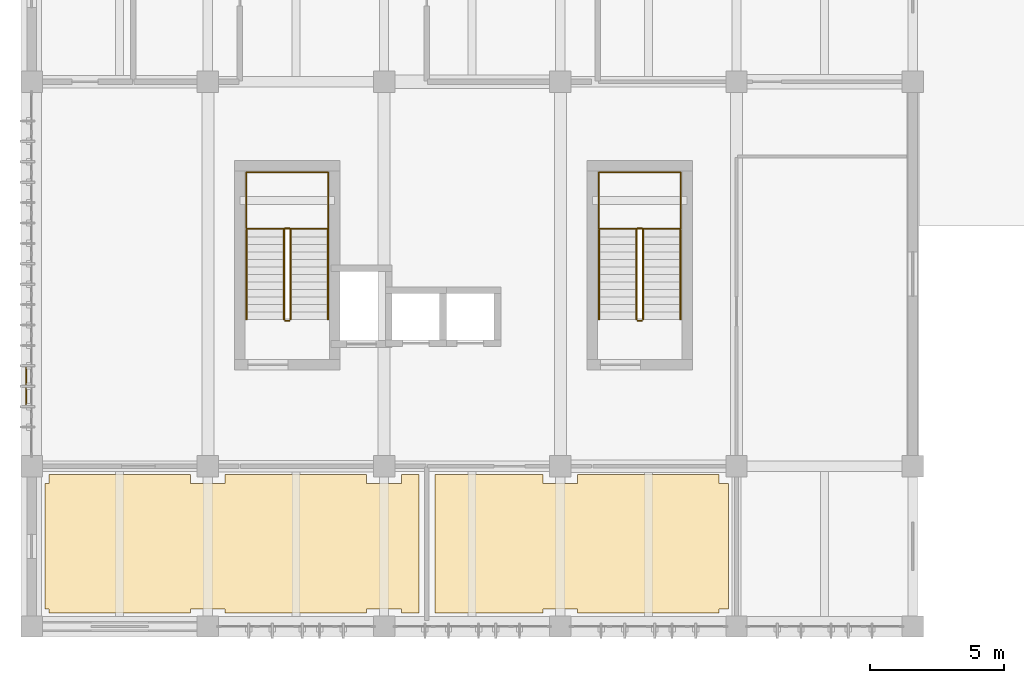
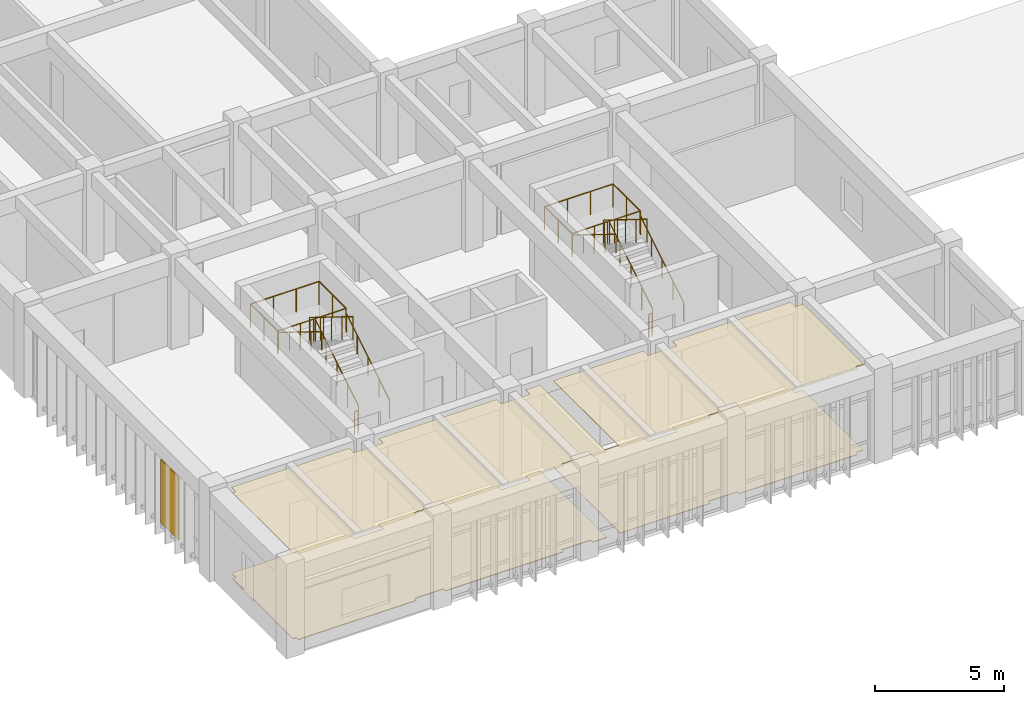
# One storey, part 33 of 34: 16 railings, 5 coverings.
"""IFC4 building model written with IfcOpenShell, lengths in metres."""

from ifc_helpers import new_model, si_unit, direction, frame, origin, origin_2d, place, context, subcontext, project, spatial, polyline, rectangle, circle, outline, extrude, material, layer, layer_set, type_object, element, save


model = new_model("IFC4")

# Units and contexts
model_context = context("Model", 3, precision=1e-05, world=origin(), true_north=direction((0.0, 1.0)))
body_context = subcontext(model_context, "Body", "Model", "MODEL_VIEW")
ifc_project = project(units=[si_unit("LENGTHUNIT", "METRE"), si_unit("AREAUNIT", "SQUARE_METRE"), si_unit("VOLUMEUNIT", "CUBIC_METRE"), si_unit("PLANEANGLEUNIT", "RADIAN"), si_unit("MASSUNIT", "GRAM", prefix="KILO")], contexts=[model_context])

# Site, building, storey
site_placement = place(None, origin())
site = spatial("IfcSite", under=ifc_project, at=site_placement, CompositionType="ELEMENT")
building_placement = place(site_placement, origin())
building = spatial("IfcBuilding", under=site, at=building_placement, Name="Miralva Faculty of Natural Sciences", CompositionType="ELEMENT")
storey_placement = place(building_placement, frame((0.0, 0.0, 24.0)))
storey = spatial("IfcBuildingStorey", under=building, at=storey_placement, Name="L05", CompositionType="ELEMENT", Elevation=24.0)

# Coverings
ifc_material_1 = material(Name="Volcanic tuff architectural stone", Category="masonry")
ifc_layer_1 = layer(ifc_material_1, 0.044921875, Name="COV-CD01")
ifc_layer_set_1 = layer_set([ifc_layer_1], Name="Volcanic tuff architectural stone")
covering_type_1 = type_object("IfcCoveringType", Name="COV-CD01", PredefinedType="CLADDING", material=ifc_layer_set_1)
covering_1_placement = place(storey_placement, frame((2.800048828125, 12.0, 0.300048828125), z_axis=(0.0, 0.0, 1.0), x_axis=(1.0, 0.0, 0.0)))
element("IfcCovering", 1, at=covering_1_placement, inside=storey, type_object=covering_type_1, Name="Volcanic tuff stone corner fascia cladding L05", PredefinedType="CLADDING", context=body_context, shape_type="SweptSolid", body=[
    extrude(rectangle(XDim=0.044921875, YDim=1.39990234375, at=origin_2d()), origin(), (0.0, 0.0, 1.0), 3.0),
])
ifc_material_2 = material(Name="Acoustic mineral-fibre board")
ifc_layer_2 = layer(ifc_material_2, 0.02197265625, Name="COV-CL01")
ifc_layer_set_2 = layer_set([ifc_layer_2], Name="Acoustic mineral-fibre board")
covering_type_2 = type_object("IfcCoveringType", Name="COV-CL01", PredefinedType="CEILING", material=ifc_layer_set_2)
covering_2_placement = place(storey_placement, frame((0.0, 0.0, 4.077880859375)))
element("IfcCovering", 2, at=covering_2_placement, inside=storey, type_object=covering_type_2, Name="Suspended acoustic ceiling L05-01", PredefinedType="CEILING", context=body_context, shape_type="SweptSolid", body=[
    extrude(outline(polyline([(15.550048828125, 8.35009765625), (16.85009765625, 8.35009765625), (16.85009765625, 8.699951171875), (17.5, 8.699951171875), (17.5, 3.5), (16.85009765625, 3.5), (16.85009765625, 3.64990234375), (15.550048828125, 3.64990234375), (15.550048828125, 3.5), (10.25, 3.5), (10.25, 3.64990234375), (8.949951171875, 3.64990234375), (8.949951171875, 3.5), (3.64990234375, 3.5), (3.64990234375, 3.64990234375), (3.5, 3.64990234375), (3.5, 8.35009765625), (3.64990234375, 8.35009765625), (3.64990234375, 8.699951171875), (8.949951171875, 8.699951171875), (8.949951171875, 8.35009765625), (10.25, 8.35009765625), (10.25, 8.699951171875), (15.550048828125, 8.699951171875), (15.550048828125, 8.35009765625)])), origin(), (0.0, 0.0, 1.0), 0.022216796875),
])
ifc_material_3 = material(Name="Gypsum plasterboard")
ifc_layer_3 = layer(ifc_material_3, 0.028076171875, Name="COV-CL02")
ifc_layer_set_3 = layer_set([ifc_layer_3], Name="Gypsum plasterboard")
covering_type_3 = type_object("IfcCoveringType", Name="COV-CL02", PredefinedType="CEILING", material=ifc_layer_set_3)
covering_3_placement = place(storey_placement, frame((0.0, 0.0, 4.072021484375)))
element("IfcCovering", 3, at=covering_3_placement, inside=storey, type_object=covering_type_3, Name="Suspended acoustic ceiling L05-02", PredefinedType="CEILING", context=body_context, shape_type="SweptSolid", body=[
    extrude(outline(polyline([(28.75, 3.5), (23.449951171875, 3.5), (23.449951171875, 3.64990234375), (22.14990234375, 3.64990234375), (22.14990234375, 3.5), (18.10009765625, 3.5), (18.10009765625, 8.699951171875), (22.14990234375, 8.699951171875), (22.14990234375, 8.35009765625), (23.449951171875, 8.35009765625), (23.449951171875, 8.699951171875), (28.75, 8.699951171875), (28.75, 8.35009765625), (29.10009765625, 8.35009765625), (29.10009765625, 3.64990234375), (28.75, 3.64990234375), (28.75, 3.5)])), origin(), (0.0, 0.0, 1.0), 0.028076171875),
])
ifc_material_4 = material(Name="Polished terrazzo flooring")
ifc_layer_4 = layer(ifc_material_4, 0.030029296875, Name="COV-FL01")
ifc_layer_set_4 = layer_set([ifc_layer_4], Name="Polished terrazzo flooring")
covering_type_4 = type_object("IfcCoveringType", Name="COV-FL01", PredefinedType="FLOORING", material=ifc_layer_set_4)
covering_4_placement = place(storey_placement, origin())
element("IfcCovering", 4, at=covering_4_placement, inside=storey, type_object=covering_type_4, Name="Finished flooring L05-01", PredefinedType="FLOORING", context=body_context, shape_type="SweptSolid", body=[
    extrude(outline(polyline([(15.550048828125, 8.35009765625), (16.85009765625, 8.35009765625), (16.85009765625, 8.699951171875), (17.5, 8.699951171875), (17.5, 3.5), (16.85009765625, 3.5), (16.85009765625, 3.64990234375), (15.550048828125, 3.64990234375), (15.550048828125, 3.5), (10.25, 3.5), (10.25, 3.64990234375), (8.949951171875, 3.64990234375), (8.949951171875, 3.5), (3.64990234375, 3.5), (3.64990234375, 3.64990234375), (3.5, 3.64990234375), (3.5, 8.35009765625), (3.64990234375, 8.35009765625), (3.64990234375, 8.699951171875), (8.949951171875, 8.699951171875), (8.949951171875, 8.35009765625), (10.25, 8.35009765625), (10.25, 8.699951171875), (15.550048828125, 8.699951171875), (15.550048828125, 8.35009765625)])), origin(), (0.0, 0.0, 1.0), 0.030029296875),
])
ifc_layer_5 = layer(ifc_material_4, 0.01806640625, Name="COV-FL02")
ifc_layer_set_5 = layer_set([ifc_layer_5], Name="Polished terrazzo flooring")
covering_type_5 = type_object("IfcCoveringType", Name="COV-FL02", PredefinedType="FLOORING", material=ifc_layer_set_5)
covering_5_placement = place(storey_placement, origin())
element("IfcCovering", 5, at=covering_5_placement, inside=storey, type_object=covering_type_5, Name="Finished flooring L05-02", PredefinedType="FLOORING", context=body_context, shape_type="SweptSolid", body=[
    extrude(outline(polyline([(28.75, 3.5), (23.449951171875, 3.5), (23.449951171875, 3.64990234375), (22.14990234375, 3.64990234375), (22.14990234375, 3.5), (18.10009765625, 3.5), (18.10009765625, 8.699951171875), (22.14990234375, 8.699951171875), (22.14990234375, 8.35009765625), (23.449951171875, 8.35009765625), (23.449951171875, 8.699951171875), (28.75, 8.699951171875), (28.75, 8.35009765625), (29.10009765625, 8.35009765625), (29.10009765625, 3.64990234375), (28.75, 3.64990234375), (28.75, 3.5)])), origin(), (0.0, 0.0, 1.0), 0.01806640625),
])

# Railings
ifc_material_5 = material(Name="Steel S355", Category="steel")
railing_type_1 = type_object("IfcRailingType", Name="RL-GR01", PredefinedType="GUARDRAIL", material=ifc_material_5)
railing_1_placement = place(storey_placement, frame((12.699951171875, 14.5, 0.173095703125)))
element("IfcRailing", 6, at=railing_1_placement, inside=storey, type_object=railing_type_1, Name="Stair Core C1 safety guard L05-1", PredefinedType="GUARDRAIL", context=body_context, shape_type="SweptSolid", body=[
    extrude(circle(Radius=0.02392578125, at=origin_2d()), frame((0.0, 0.0, 1.09619140625), z_axis=(0.0, 0.850623216509, 0.525775754039), x_axis=(-1.0, 0.0, 0.0)), (0.0, 0.0, 1.0), 3.9501953125),
    extrude(circle(Radius=0.02099609375, at=origin_2d()), origin(), (0.0, 0.0, 1.0), 1.072021484375),
    extrude(circle(Radius=0.02099609375, at=origin_2d()), frame((0.0, 0.840087890625, 0.519287109375)), (0.0, 0.0, 1.0), 1.072021484375),
    extrude(circle(Radius=0.02099609375, at=origin_2d()), frame((0.0, 1.68017578125, 1.03857421875)), (0.0, 0.0, 1.0), 1.072021484375),
    extrude(circle(Radius=0.02099609375, at=origin_2d()), frame((0.0, 2.52001953125, 1.5576171875)), (0.0, 0.0, 1.0), 1.072021484375),
    extrude(circle(Radius=0.02099609375, at=origin_2d()), frame((0.0, 3.360107421875, 2.076904296875)), (0.0, 0.0, 1.0), 1.072021484375),
])
railing_2_placement = place(storey_placement, frame((12.64990234375, 17.909912109375, 2.25)))
element("IfcRailing", 7, at=railing_2_placement, inside=storey, type_object=railing_type_1, Name="Stair Core C1 safety guard L05-2", PredefinedType="GUARDRAIL", context=body_context, shape_type="SweptSolid", body=[
    extrude(circle(Radius=0.02392578125, at=origin_2d()), frame((0.0, 0.0, 1.09619140625), z_axis=(-1.0, 0.0, 0.0), x_axis=(0.0, -1.0, 0.0)), (0.0, 0.0, 1.0), 0.14990234375),
    extrude(circle(Radius=0.02099609375, at=origin_2d()), origin(), (0.0, 0.0, 1.0), 1.072021484375),
    extrude(circle(Radius=0.02099609375, at=origin_2d()), frame((-0.14990234375, 0.0, 0.0)), (0.0, 0.0, 1.0), 1.072021484375),
])
railing_3_placement = place(storey_placement, frame((12.449951171875, 17.860107421875, 2.423095703125)))
element("IfcRailing", 8, at=railing_3_placement, inside=storey, type_object=railing_type_1, Name="Stair Core C1 safety guard L05-3", PredefinedType="GUARDRAIL", context=body_context, shape_type="SweptSolid", body=[
    extrude(circle(Radius=0.02392578125, at=origin_2d()), frame((0.0, 0.0, 1.09619140625), z_axis=(0.0, -0.850623216509, 0.525775754039), x_axis=(1.0, 0.0, 0.0)), (0.0, 0.0, 1.0), 3.9501953125),
    extrude(circle(Radius=0.02099609375, at=origin_2d()), origin(), (0.0, 0.0, 1.0), 1.072021484375),
    extrude(circle(Radius=0.02099609375, at=origin_2d()), frame((0.0, -0.840087890625, 0.519287109375)), (0.0, 0.0, 1.0), 1.072021484375),
    extrude(circle(Radius=0.02099609375, at=origin_2d()), frame((0.0, -1.68017578125, 1.03857421875)), (0.0, 0.0, 1.0), 1.072021484375),
    extrude(circle(Radius=0.02099609375, at=origin_2d()), frame((0.0, -2.52001953125, 1.5576171875)), (0.0, 0.0, 1.0), 1.072021484375),
    extrude(circle(Radius=0.02099609375, at=origin_2d()), frame((0.0, -3.360107421875, 2.076904296875)), (0.0, 0.0, 1.0), 1.072021484375),
])
railing_4_placement = place(storey_placement, frame((12.64990234375, 14.449951171875, 0.0)))
element("IfcRailing", 9, at=railing_4_placement, inside=storey, type_object=railing_type_1, Name="Stair Core C1 safety guard L05-4", PredefinedType="GUARDRAIL", context=body_context, shape_type="SweptSolid", body=[
    extrude(circle(Radius=0.02392578125, at=origin_2d()), frame((0.0, 0.0, 1.09619140625), z_axis=(-1.0, 0.0, 0.0), x_axis=(0.0, -1.0, 0.0)), (0.0, 0.0, 1.0), 0.14990234375),
    extrude(circle(Radius=0.02099609375, at=origin_2d()), origin(), (0.0, 0.0, 1.0), 1.072021484375),
    extrude(circle(Radius=0.02099609375, at=origin_2d()), frame((-0.14990234375, 0.0, 0.0)), (0.0, 0.0, 1.0), 1.072021484375),
])
railing_5_placement = place(storey_placement, frame((11.0400390625, 17.89990234375, 2.25)))
element("IfcRailing", 10, at=railing_5_placement, inside=storey, type_object=railing_type_1, Name="Stair Core C1 half-landing guard L05-1A", PredefinedType="GUARDRAIL", context=body_context, shape_type="SweptSolid", body=[
    extrude(circle(Radius=0.02392578125, at=origin_2d()), frame((0.0, 0.0, 1.09619140625), z_axis=(0.0, 1.0, 0.0), x_axis=(-1.0, 0.0, 0.0)), (0.0, 0.0, 1.0), 2.110107421875),
    extrude(circle(Radius=0.02392578125, at=origin_2d()), frame((0.0, 2.110107421875, 1.09619140625), z_axis=(1.0, 0.0, 0.0), x_axis=(0.0, 1.0, 0.0)), (0.0, 0.0, 1.0), 3.070068359375),
    extrude(circle(Radius=0.02099609375, at=origin_2d()), origin(), (0.0, 0.0, 1.0), 1.072021484375),
    extrude(circle(Radius=0.02099609375, at=origin_2d()), frame((0.0, 1.05517578125, 0.0)), (0.0, 0.0, 1.0), 1.072021484375),
    extrude(circle(Radius=0.02099609375, at=origin_2d()), frame((0.0, 2.110107421875, 0.0)), (0.0, 0.0, 1.0), 1.072021484375),
    extrude(circle(Radius=0.02099609375, at=origin_2d()), frame((1.0234375, 2.110107421875, 0.0)), (0.0, 0.0, 1.0), 1.072021484375),
    extrude(circle(Radius=0.02099609375, at=origin_2d()), frame((2.046630859375, 2.110107421875, 0.0)), (0.0, 0.0, 1.0), 1.072021484375),
    extrude(circle(Radius=0.02099609375, at=origin_2d()), frame((3.070068359375, 2.110107421875, 0.0)), (0.0, 0.0, 1.0), 1.072021484375),
])
railing_6_placement = place(storey_placement, frame((14.110107421875, 20.010009765625, 2.25)))
element("IfcRailing", 11, at=railing_6_placement, inside=storey, type_object=railing_type_1, Name="Stair Core C1 half-landing guard L05-1B", PredefinedType="GUARDRAIL", context=body_context, shape_type="SweptSolid", body=[
    extrude(circle(Radius=0.02392578125, at=origin_2d()), frame((0.0, 0.0, 1.09619140625), z_axis=(0.0, -1.0, 0.0), x_axis=(1.0, 0.0, 0.0)), (0.0, 0.0, 1.0), 2.110107421875),
    extrude(circle(Radius=0.02392578125, at=origin_2d()), frame((0.0, -2.110107421875, 1.09619140625), z_axis=(-1.0, 0.0, 0.0), x_axis=(0.0, -1.0, 0.0)), (0.0, 0.0, 1.0), 3.070068359375),
    extrude(circle(Radius=0.02099609375, at=origin_2d()), origin(), (0.0, 0.0, 1.0), 1.072021484375),
    extrude(circle(Radius=0.02099609375, at=origin_2d()), frame((0.0, -1.05517578125, 0.0)), (0.0, 0.0, 1.0), 1.072021484375),
    extrude(circle(Radius=0.02099609375, at=origin_2d()), frame((0.0, -2.110107421875, 0.0)), (0.0, 0.0, 1.0), 1.072021484375),
    extrude(circle(Radius=0.02099609375, at=origin_2d()), frame((-1.0234375, -2.110107421875, 0.0)), (0.0, 0.0, 1.0), 1.072021484375),
    extrude(circle(Radius=0.02099609375, at=origin_2d()), frame((-2.046630859375, -2.110107421875, 0.0)), (0.0, 0.0, 1.0), 1.072021484375),
    extrude(circle(Radius=0.02099609375, at=origin_2d()), frame((-3.070068359375, -2.110107421875, 0.0)), (0.0, 0.0, 1.0), 1.072021484375),
])
railing_7_placement = place(storey_placement, frame((25.89990234375, 14.5, 0.173095703125)))
element("IfcRailing", 12, at=railing_7_placement, inside=storey, type_object=railing_type_1, Name="Stair Core C1B safety guard L05-1", PredefinedType="GUARDRAIL", context=body_context, shape_type="SweptSolid", body=[
    extrude(circle(Radius=0.02392578125, at=origin_2d()), frame((0.0, 0.0, 1.09619140625), z_axis=(0.0, 0.850623216509, 0.525775754039), x_axis=(-1.0, 0.0, 0.0)), (0.0, 0.0, 1.0), 3.9501953125),
    extrude(circle(Radius=0.02099609375, at=origin_2d()), origin(), (0.0, 0.0, 1.0), 1.072021484375),
    extrude(circle(Radius=0.02099609375, at=origin_2d()), frame((0.0, 0.840087890625, 0.519287109375)), (0.0, 0.0, 1.0), 1.072021484375),
    extrude(circle(Radius=0.02099609375, at=origin_2d()), frame((0.0, 1.68017578125, 1.03857421875)), (0.0, 0.0, 1.0), 1.072021484375),
    extrude(circle(Radius=0.02099609375, at=origin_2d()), frame((0.0, 2.52001953125, 1.5576171875)), (0.0, 0.0, 1.0), 1.072021484375),
    extrude(circle(Radius=0.02099609375, at=origin_2d()), frame((0.0, 3.360107421875, 2.076904296875)), (0.0, 0.0, 1.0), 1.072021484375),
])
railing_8_placement = place(storey_placement, frame((25.85009765625, 17.909912109375, 2.25)))
element("IfcRailing", 13, at=railing_8_placement, inside=storey, type_object=railing_type_1, Name="Stair Core C1B safety guard L05-2", PredefinedType="GUARDRAIL", context=body_context, shape_type="SweptSolid", body=[
    extrude(circle(Radius=0.02392578125, at=origin_2d()), frame((0.0, 0.0, 1.09619140625), z_axis=(-1.0, 0.0, 0.0), x_axis=(0.0, -1.0, 0.0)), (0.0, 0.0, 1.0), 0.150146484375),
    extrude(circle(Radius=0.02099609375, at=origin_2d()), origin(), (0.0, 0.0, 1.0), 1.072021484375),
    extrude(circle(Radius=0.02099609375, at=origin_2d()), frame((-0.150146484375, 0.0, 0.0)), (0.0, 0.0, 1.0), 1.072021484375),
])
railing_9_placement = place(storey_placement, frame((25.64990234375, 17.860107421875, 2.423095703125)))
element("IfcRailing", 14, at=railing_9_placement, inside=storey, type_object=railing_type_1, Name="Stair Core C1B safety guard L05-3", PredefinedType="GUARDRAIL", context=body_context, shape_type="SweptSolid", body=[
    extrude(circle(Radius=0.02392578125, at=origin_2d()), frame((0.0, 0.0, 1.09619140625), z_axis=(0.0, -0.850623216509, 0.525775754039), x_axis=(1.0, 0.0, 0.0)), (0.0, 0.0, 1.0), 3.9501953125),
    extrude(circle(Radius=0.02099609375, at=origin_2d()), origin(), (0.0, 0.0, 1.0), 1.072021484375),
    extrude(circle(Radius=0.02099609375, at=origin_2d()), frame((0.0, -0.840087890625, 0.519287109375)), (0.0, 0.0, 1.0), 1.072021484375),
    extrude(circle(Radius=0.02099609375, at=origin_2d()), frame((0.0, -1.68017578125, 1.03857421875)), (0.0, 0.0, 1.0), 1.072021484375),
    extrude(circle(Radius=0.02099609375, at=origin_2d()), frame((0.0, -2.52001953125, 1.5576171875)), (0.0, 0.0, 1.0), 1.072021484375),
    extrude(circle(Radius=0.02099609375, at=origin_2d()), frame((0.0, -3.360107421875, 2.076904296875)), (0.0, 0.0, 1.0), 1.072021484375),
])
railing_10_placement = place(storey_placement, frame((25.85009765625, 14.449951171875, 0.0)))
element("IfcRailing", 15, at=railing_10_placement, inside=storey, type_object=railing_type_1, Name="Stair Core C1B safety guard L05-4", PredefinedType="GUARDRAIL", context=body_context, shape_type="SweptSolid", body=[
    extrude(circle(Radius=0.02392578125, at=origin_2d()), frame((0.0, 0.0, 1.09619140625), z_axis=(-1.0, 0.0, 0.0), x_axis=(0.0, -1.0, 0.0)), (0.0, 0.0, 1.0), 0.150146484375),
    extrude(circle(Radius=0.02099609375, at=origin_2d()), origin(), (0.0, 0.0, 1.0), 1.072021484375),
    extrude(circle(Radius=0.02099609375, at=origin_2d()), frame((-0.150146484375, 0.0, 0.0)), (0.0, 0.0, 1.0), 1.072021484375),
])
railing_11_placement = place(storey_placement, frame((24.239990234375, 17.89990234375, 2.25)))
element("IfcRailing", 16, at=railing_11_placement, inside=storey, type_object=railing_type_1, Name="Stair Core C1B half-landing guard L05-1A", PredefinedType="GUARDRAIL", context=body_context, shape_type="SweptSolid", body=[
    extrude(circle(Radius=0.02392578125, at=origin_2d()), frame((0.0, 0.0, 1.09619140625), z_axis=(0.0, 1.0, 0.0), x_axis=(-1.0, 0.0, 0.0)), (0.0, 0.0, 1.0), 2.110107421875),
    extrude(circle(Radius=0.02392578125, at=origin_2d()), frame((0.0, 2.110107421875, 1.09619140625), z_axis=(1.0, 0.0, 0.0), x_axis=(0.0, 1.0, 0.0)), (0.0, 0.0, 1.0), 3.070068359375),
    extrude(circle(Radius=0.02099609375, at=origin_2d()), origin(), (0.0, 0.0, 1.0), 1.072021484375),
    extrude(circle(Radius=0.02099609375, at=origin_2d()), frame((0.0, 1.05517578125, 0.0)), (0.0, 0.0, 1.0), 1.072021484375),
    extrude(circle(Radius=0.02099609375, at=origin_2d()), frame((0.0, 2.110107421875, 0.0)), (0.0, 0.0, 1.0), 1.072021484375),
    extrude(circle(Radius=0.02099609375, at=origin_2d()), frame((1.0234375, 2.110107421875, 0.0)), (0.0, 0.0, 1.0), 1.072021484375),
    extrude(circle(Radius=0.02099609375, at=origin_2d()), frame((2.046630859375, 2.110107421875, 0.0)), (0.0, 0.0, 1.0), 1.072021484375),
    extrude(circle(Radius=0.02099609375, at=origin_2d()), frame((3.070068359375, 2.110107421875, 0.0)), (0.0, 0.0, 1.0), 1.072021484375),
])
railing_12_placement = place(storey_placement, frame((27.31005859375, 20.010009765625, 2.25)))
element("IfcRailing", 17, at=railing_12_placement, inside=storey, type_object=railing_type_1, Name="Stair Core C1B half-landing guard L05-1B", PredefinedType="GUARDRAIL", context=body_context, shape_type="SweptSolid", body=[
    extrude(circle(Radius=0.02392578125, at=origin_2d()), frame((0.0, 0.0, 1.09619140625), z_axis=(0.0, -1.0, 0.0), x_axis=(1.0, 0.0, 0.0)), (0.0, 0.0, 1.0), 2.110107421875),
    extrude(circle(Radius=0.02392578125, at=origin_2d()), frame((0.0, -2.110107421875, 1.09619140625), z_axis=(-1.0, 0.0, 0.0), x_axis=(0.0, -1.0, 0.0)), (0.0, 0.0, 1.0), 3.070068359375),
    extrude(circle(Radius=0.02099609375, at=origin_2d()), origin(), (0.0, 0.0, 1.0), 1.072021484375),
    extrude(circle(Radius=0.02099609375, at=origin_2d()), frame((0.0, -1.05517578125, 0.0)), (0.0, 0.0, 1.0), 1.072021484375),
    extrude(circle(Radius=0.02099609375, at=origin_2d()), frame((0.0, -2.110107421875, 0.0)), (0.0, 0.0, 1.0), 1.072021484375),
    extrude(circle(Radius=0.02099609375, at=origin_2d()), frame((-1.0234375, -2.110107421875, 0.0)), (0.0, 0.0, 1.0), 1.072021484375),
    extrude(circle(Radius=0.02099609375, at=origin_2d()), frame((-2.046630859375, -2.110107421875, 0.0)), (0.0, 0.0, 1.0), 1.072021484375),
    extrude(circle(Radius=0.02099609375, at=origin_2d()), frame((-3.070068359375, -2.110107421875, 0.0)), (0.0, 0.0, 1.0), 1.072021484375),
])
railing_type_2 = type_object("IfcRailingType", Name="RL-HR01", PredefinedType="HANDRAIL", material=ifc_material_5)
railing_13_placement = place(storey_placement, frame((14.10009765625, 14.5, 0.173095703125)))
element("IfcRailing", 18, at=railing_13_placement, inside=storey, type_object=railing_type_2, Name="Stair Core C1 handrail L05-1", PredefinedType="HANDRAIL", context=body_context, shape_type="SweptSolid", body=[
    extrude(circle(Radius=0.02392578125, at=origin_2d()), frame((0.0, 0.0, 0.8759765625), z_axis=(0.0, 0.850623216509, 0.525775754039), x_axis=(-1.0, 0.0, 0.0)), (0.0, 0.0, 1.0), 3.9501953125),
    extrude(circle(Radius=0.02099609375, at=origin_2d()), origin(), (0.0, 0.0, 1.0), 0.851806640625),
    extrude(circle(Radius=0.02099609375, at=origin_2d()), frame((0.0, 0.840087890625, 0.519287109375)), (0.0, 0.0, 1.0), 0.851806640625),
    extrude(circle(Radius=0.02099609375, at=origin_2d()), frame((0.0, 1.68017578125, 1.03857421875)), (0.0, 0.0, 1.0), 0.851806640625),
    extrude(circle(Radius=0.02099609375, at=origin_2d()), frame((0.0, 2.52001953125, 1.5576171875)), (0.0, 0.0, 1.0), 0.851806640625),
    extrude(circle(Radius=0.02099609375, at=origin_2d()), frame((0.0, 3.360107421875, 2.076904296875)), (0.0, 0.0, 1.0), 0.851806640625),
])
railing_14_placement = place(storey_placement, frame((11.050048828125, 17.860107421875, 2.423095703125)))
element("IfcRailing", 19, at=railing_14_placement, inside=storey, type_object=railing_type_2, Name="Stair Core C1 handrail L05-2", PredefinedType="HANDRAIL", context=body_context, shape_type="SweptSolid", body=[
    extrude(circle(Radius=0.02392578125, at=origin_2d()), frame((0.0, 0.0, 0.8759765625), z_axis=(0.0, -0.850623216509, 0.525775754039), x_axis=(1.0, 0.0, 0.0)), (0.0, 0.0, 1.0), 3.9501953125),
    extrude(circle(Radius=0.02099609375, at=origin_2d()), origin(), (0.0, 0.0, 1.0), 0.851806640625),
    extrude(circle(Radius=0.02099609375, at=origin_2d()), frame((0.0, -0.840087890625, 0.519287109375)), (0.0, 0.0, 1.0), 0.851806640625),
    extrude(circle(Radius=0.02099609375, at=origin_2d()), frame((0.0, -1.68017578125, 1.03857421875)), (0.0, 0.0, 1.0), 0.851806640625),
    extrude(circle(Radius=0.02099609375, at=origin_2d()), frame((0.0, -2.52001953125, 1.5576171875)), (0.0, 0.0, 1.0), 0.851806640625),
    extrude(circle(Radius=0.02099609375, at=origin_2d()), frame((0.0, -3.360107421875, 2.076904296875)), (0.0, 0.0, 1.0), 0.851806640625),
])
railing_15_placement = place(storey_placement, frame((27.300048828125, 14.5, 0.173095703125)))
element("IfcRailing", 20, at=railing_15_placement, inside=storey, type_object=railing_type_2, Name="Stair Core C1B handrail L05-1", PredefinedType="HANDRAIL", context=body_context, shape_type="SweptSolid", body=[
    extrude(circle(Radius=0.02392578125, at=origin_2d()), frame((0.0, 0.0, 0.8759765625), z_axis=(0.0, 0.850623216509, 0.525775754039), x_axis=(-1.0, 0.0, 0.0)), (0.0, 0.0, 1.0), 3.9501953125),
    extrude(circle(Radius=0.02099609375, at=origin_2d()), origin(), (0.0, 0.0, 1.0), 0.851806640625),
    extrude(circle(Radius=0.02099609375, at=origin_2d()), frame((0.0, 0.840087890625, 0.519287109375)), (0.0, 0.0, 1.0), 0.851806640625),
    extrude(circle(Radius=0.02099609375, at=origin_2d()), frame((0.0, 1.68017578125, 1.03857421875)), (0.0, 0.0, 1.0), 0.851806640625),
    extrude(circle(Radius=0.02099609375, at=origin_2d()), frame((0.0, 2.52001953125, 1.5576171875)), (0.0, 0.0, 1.0), 0.851806640625),
    extrude(circle(Radius=0.02099609375, at=origin_2d()), frame((0.0, 3.360107421875, 2.076904296875)), (0.0, 0.0, 1.0), 0.851806640625),
])
railing_16_placement = place(storey_placement, frame((24.25, 17.860107421875, 2.423095703125)))
element("IfcRailing", 21, at=railing_16_placement, inside=storey, type_object=railing_type_2, Name="Stair Core C1B handrail L05-2", PredefinedType="HANDRAIL", context=body_context, shape_type="SweptSolid", body=[
    extrude(circle(Radius=0.02392578125, at=origin_2d()), frame((0.0, 0.0, 0.8759765625), z_axis=(0.0, -0.850623216509, 0.525775754039), x_axis=(1.0, 0.0, 0.0)), (0.0, 0.0, 1.0), 3.9501953125),
    extrude(circle(Radius=0.02099609375, at=origin_2d()), origin(), (0.0, 0.0, 1.0), 0.851806640625),
    extrude(circle(Radius=0.02099609375, at=origin_2d()), frame((0.0, -0.840087890625, 0.519287109375)), (0.0, 0.0, 1.0), 0.851806640625),
    extrude(circle(Radius=0.02099609375, at=origin_2d()), frame((0.0, -1.68017578125, 1.03857421875)), (0.0, 0.0, 1.0), 0.851806640625),
    extrude(circle(Radius=0.02099609375, at=origin_2d()), frame((0.0, -2.52001953125, 1.5576171875)), (0.0, 0.0, 1.0), 0.851806640625),
    extrude(circle(Radius=0.02099609375, at=origin_2d()), frame((0.0, -3.360107421875, 2.076904296875)), (0.0, 0.0, 1.0), 0.851806640625),
])

save(model, "model.ifc")
